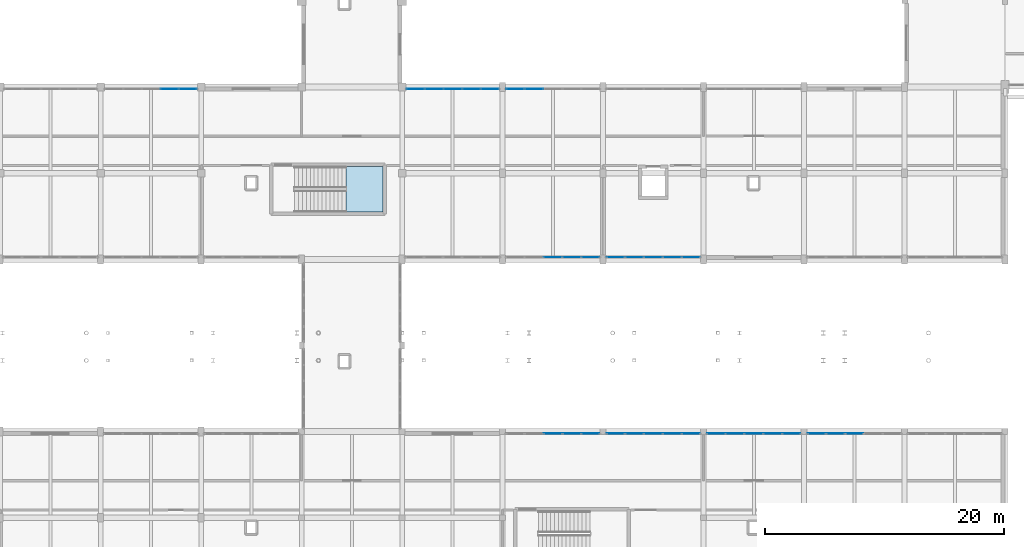
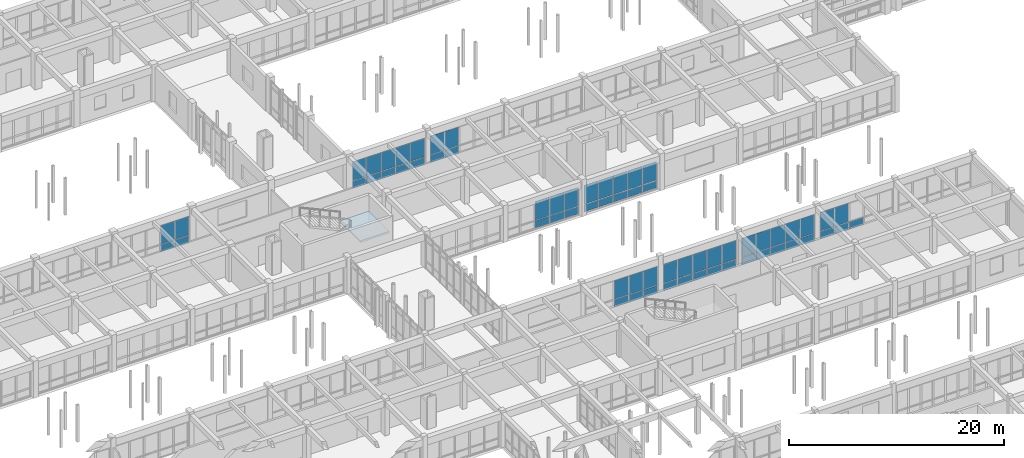
# One storey, part 111 of 147: 65 plates, 1 slab, 10 elements without a shape of their own.
"""IFC4 building model written with IfcOpenShell, lengths in metres."""

from ifc_helpers import new_model, si_unit, direction, frame, origin, origin_2d, place, context, subcontext, project, spatial, polyline, rectangle, outline, extrude, material, layer, layer_set, type_object, element, aggregate, save


model = new_model("IFC4")

# Units and contexts
model_context = context("Model", 3, precision=1e-05, world=origin(), true_north=direction((0.0, 1.0)))
body_context = subcontext(model_context, "Body", "Model", "MODEL_VIEW")
ifc_project = project(units=[si_unit("LENGTHUNIT", "METRE"), si_unit("AREAUNIT", "SQUARE_METRE"), si_unit("VOLUMEUNIT", "CUBIC_METRE"), si_unit("PLANEANGLEUNIT", "RADIAN"), si_unit("MASSUNIT", "GRAM", prefix="KILO")], contexts=[model_context])

# Site, building, storey
site_placement = place(None, origin())
site = spatial("IfcSite", under=ifc_project, at=site_placement, CompositionType="ELEMENT")
building_placement = place(site_placement, origin())
building = spatial("IfcBuilding", under=site, at=building_placement, Name="Malvenik Polytechnic", CompositionType="ELEMENT")
storey_placement = place(building_placement, frame((0.0, 0.0, 5.10009765625)))
storey = spatial("IfcBuildingStorey", under=building, at=storey_placement, Name="L01", CompositionType="ELEMENT", Elevation=5.10009765625)

# Curtain wall, plates
ifc_material_1 = material(Name="Anodised aluminium 6060-T6", Category="aluminium")
curtain_wall_type = type_object("IfcCurtainWallType", Name="ARC-CW-CW-02", PredefinedType="NOTDEFINED", material=ifc_material_1)
curtain_wall_1_placement = place(storey_placement, origin())
curtain_wall_1 = element("IfcCurtainWall", 1, at=curtain_wall_1_placement, inside=storey, type_object=curtain_wall_type, Name="Unitised Curtain Wall CW-02 L01 #37", PredefinedType="NOTDEFINED")
ifc_material_2 = material(Name="Insulated low-E double glazing 8-16-8", Category="glass")
ifc_layer_1 = layer(ifc_material_2, 0.028076171875)
ifc_layer_set_1 = layer_set([ifc_layer_1], Name="Insulated low-E double glazing 8-16-8")
plate_type_1 = type_object("IfcPlateType", Name="ARC-CWP-CP-GLZ28", PredefinedType="CURTAIN_PANEL", material=ifc_layer_set_1)
plate_1_placement = place(storey_placement, frame((64.55078125, 93.429931640625, 0.929931640625), z_axis=(0.0, 0.0, 1.0), x_axis=(1.0, 0.0, 0.0)))
plate_1 = element("IfcPlate", 2, at=plate_1_placement, type_object=plate_type_1, Name="CW-02 panel 4.2", PredefinedType="CURTAIN_PANEL", context=body_context, shape_type="SweptSolid", body=[
    extrude(rectangle(XDim=1.49072265625, YDim=0.028076171875, at=origin_2d()), origin(), (0.0, 0.0, 1.0), 2.1201171875),
])
plate_2_placement = place(storey_placement, frame((66.086669921875, 93.429931640625, 0.929931640625), z_axis=(0.0, 0.0, 1.0), x_axis=(1.0, 0.0, 0.0)))
plate_2 = element("IfcPlate", 3, at=plate_2_placement, type_object=plate_type_1, Name="CW-02 panel 5.2", PredefinedType="CURTAIN_PANEL", context=body_context, shape_type="SweptSolid", body=[
    extrude(rectangle(XDim=1.460693359375, YDim=0.028076171875, at=origin_2d()), origin(), (0.0, 0.0, 1.0), 2.1201171875),
])

curtain_wall_2_placement = place(storey_placement, origin())
curtain_wall_2 = element("IfcCurtainWall", 4, at=curtain_wall_2_placement, inside=storey, type_object=curtain_wall_type, Name="Unitised Curtain Wall CW-02 L01 #59", PredefinedType="NOTDEFINED")
plate_3_placement = place(storey_placement, frame((85.120849609375, 93.429931640625, 0.929931640625), z_axis=(0.0, 0.0, 1.0), x_axis=(1.0, 0.0, 0.0)))
plate_3 = element("IfcPlate", 5, at=plate_3_placement, type_object=plate_type_1, Name="CW-02 panel 1.2", PredefinedType="CURTAIN_PANEL", context=body_context, shape_type="SweptSolid", body=[
    extrude(rectangle(XDim=1.475830078125, YDim=0.028076171875, at=origin_2d()), origin(), (0.0, 0.0, 1.0), 2.1201171875),
])
plate_4_placement = place(storey_placement, frame((86.671630859375, 93.429931640625, 0.929931640625), z_axis=(0.0, 0.0, 1.0), x_axis=(1.0, 0.0, 0.0)))
plate_4 = element("IfcPlate", 6, at=plate_4_placement, type_object=plate_type_1, Name="CW-02 panel 2.2", PredefinedType="CURTAIN_PANEL", context=body_context, shape_type="SweptSolid", body=[
    extrude(rectangle(XDim=1.505859375, YDim=0.028076171875, at=origin_2d()), origin(), (0.0, 0.0, 1.0), 2.1201171875),
])
plate_5_placement = place(storey_placement, frame((88.237548828125, 93.429931640625, 0.929931640625), z_axis=(0.0, 0.0, 1.0), x_axis=(1.0, 0.0, 0.0)))
plate_5 = element("IfcPlate", 7, at=plate_5_placement, type_object=plate_type_1, Name="CW-02 panel 3.2", PredefinedType="CURTAIN_PANEL", context=body_context, shape_type="SweptSolid", body=[
    extrude(rectangle(XDim=1.505859375, YDim=0.028076171875, at=origin_2d()), origin(), (0.0, 0.0, 1.0), 2.1201171875),
])
plate_6_placement = place(storey_placement, frame((89.80322265625, 93.429931640625, 0.929931640625), z_axis=(0.0, 0.0, 1.0), x_axis=(1.0, 0.0, 0.0)))
plate_6 = element("IfcPlate", 8, at=plate_6_placement, type_object=plate_type_1, Name="CW-02 panel 4.2", PredefinedType="CURTAIN_PANEL", context=body_context, shape_type="SweptSolid", body=[
    extrude(rectangle(XDim=1.505859375, YDim=0.028076171875, at=origin_2d()), origin(), (0.0, 0.0, 1.0), 2.1201171875),
])
plate_7_placement = place(storey_placement, frame((91.35400390625, 93.429931640625, 0.929931640625), z_axis=(0.0, 0.0, 1.0), x_axis=(1.0, 0.0, 0.0)))
plate_7 = element("IfcPlate", 9, at=plate_7_placement, type_object=plate_type_1, Name="CW-02 panel 5.2", PredefinedType="CURTAIN_PANEL", context=body_context, shape_type="SweptSolid", body=[
    extrude(rectangle(XDim=1.475830078125, YDim=0.028076171875, at=origin_2d()), origin(), (0.0, 0.0, 1.0), 2.1201171875),
])

curtain_wall_3_placement = place(storey_placement, origin())
curtain_wall_3 = element("IfcCurtainWall", 10, at=curtain_wall_3_placement, inside=storey, type_object=curtain_wall_type, Name="Unitised Curtain Wall CW-02 L01 #60", PredefinedType="NOTDEFINED")
plate_8_placement = place(storey_placement, frame((93.453369140625, 93.429931640625, 0.929931640625), z_axis=(0.0, 0.0, 1.0), x_axis=(1.0, 0.0, 0.0)))
plate_8 = element("IfcPlate", 11, at=plate_8_placement, type_object=plate_type_1, Name="CW-02 panel 1.2", PredefinedType="CURTAIN_PANEL", context=body_context, shape_type="SweptSolid", body=[
    extrude(rectangle(XDim=1.49072265625, YDim=0.028076171875, at=origin_2d()), origin(), (0.0, 0.0, 1.0), 2.1201171875),
])
plate_9_placement = place(storey_placement, frame((95.019287109375, 93.429931640625, 0.929931640625), z_axis=(0.0, 0.0, 1.0), x_axis=(1.0, 0.0, 0.0)))
plate_9 = element("IfcPlate", 12, at=plate_9_placement, type_object=plate_type_1, Name="CW-02 panel 2.2", PredefinedType="CURTAIN_PANEL", context=body_context, shape_type="SweptSolid", body=[
    extrude(rectangle(XDim=1.520751953125, YDim=0.028076171875, at=origin_2d()), origin(), (0.0, 0.0, 1.0), 2.1201171875),
])

curtain_wall_4_placement = place(storey_placement, origin())
curtain_wall_4 = element("IfcCurtainWall", 13, at=curtain_wall_4_placement, inside=storey, type_object=curtain_wall_type, Name="Unitised Curtain Wall CW-02 L01 #79", PredefinedType="NOTDEFINED")
plate_10_placement = place(storey_placement, frame((108.146484375, 79.3701171875, 0.929931640625), z_axis=(0.0, 0.0, 1.0), x_axis=(-1.0, 0.0, 0.0)))
plate_10 = element("IfcPlate", 14, at=plate_10_placement, type_object=plate_type_1, Name="CW-02 panel 1.2", PredefinedType="CURTAIN_PANEL", context=body_context, shape_type="SweptSolid", body=[
    extrude(rectangle(XDim=1.49072265625, YDim=0.028076171875, at=origin_2d()), origin(), (0.0, 0.0, 1.0), 2.1201171875),
])
plate_11_placement = place(storey_placement, frame((106.580810546875, 79.3701171875, 0.929931640625), z_axis=(0.0, 0.0, 1.0), x_axis=(-1.0, 0.0, 0.0)))
plate_11 = element("IfcPlate", 15, at=plate_11_placement, type_object=plate_type_1, Name="CW-02 panel 2.2", PredefinedType="CURTAIN_PANEL", context=body_context, shape_type="SweptSolid", body=[
    extrude(rectangle(XDim=1.520751953125, YDim=0.028076171875, at=origin_2d()), origin(), (0.0, 0.0, 1.0), 2.1201171875),
])
plate_12_placement = place(storey_placement, frame((105.0, 79.3701171875, 0.929931640625), z_axis=(0.0, 0.0, 1.0), x_axis=(-1.0, 0.0, 0.0)))
plate_12 = element("IfcPlate", 16, at=plate_12_placement, type_object=plate_type_1, Name="CW-02 panel 3.2", PredefinedType="CURTAIN_PANEL", context=body_context, shape_type="SweptSolid", body=[
    extrude(rectangle(XDim=1.520751953125, YDim=0.028076171875, at=origin_2d()), origin(), (0.0, 0.0, 1.0), 2.1201171875),
])
plate_13_placement = place(storey_placement, frame((103.419189453125, 79.3701171875, 0.929931640625), z_axis=(0.0, 0.0, 1.0), x_axis=(-1.0, 0.0, 0.0)))
plate_13 = element("IfcPlate", 17, at=plate_13_placement, type_object=plate_type_1, Name="CW-02 panel 4.2", PredefinedType="CURTAIN_PANEL", context=body_context, shape_type="SweptSolid", body=[
    extrude(rectangle(XDim=1.520751953125, YDim=0.028076171875, at=origin_2d()), origin(), (0.0, 0.0, 1.0), 2.1201171875),
])
plate_14_placement = place(storey_placement, frame((101.853515625, 79.3701171875, 0.929931640625), z_axis=(0.0, 0.0, 1.0), x_axis=(-1.0, 0.0, 0.0)))
plate_14 = element("IfcPlate", 18, at=plate_14_placement, type_object=plate_type_1, Name="CW-02 panel 5.2", PredefinedType="CURTAIN_PANEL", context=body_context, shape_type="SweptSolid", body=[
    extrude(rectangle(XDim=1.49072265625, YDim=0.028076171875, at=origin_2d()), origin(), (0.0, 0.0, 1.0), 2.1201171875),
])

curtain_wall_5_placement = place(storey_placement, origin())
curtain_wall_5 = element("IfcCurtainWall", 19, at=curtain_wall_5_placement, inside=storey, type_object=curtain_wall_type, Name="Unitised Curtain Wall CW-02 L01 #80", PredefinedType="NOTDEFINED")
plate_15_placement = place(storey_placement, frame((99.74658203125, 79.3701171875, 0.929931640625), z_axis=(0.0, 0.0, 1.0), x_axis=(-1.0, 0.0, 0.0)))
plate_15 = element("IfcPlate", 20, at=plate_15_placement, type_object=plate_type_1, Name="CW-02 panel 1.2", PredefinedType="CURTAIN_PANEL", context=body_context, shape_type="SweptSolid", body=[
    extrude(rectangle(XDim=1.49072265625, YDim=0.028076171875, at=origin_2d()), origin(), (0.0, 0.0, 1.0), 2.1201171875),
])
plate_16_placement = place(storey_placement, frame((98.180908203125, 79.3701171875, 0.929931640625), z_axis=(0.0, 0.0, 1.0), x_axis=(-1.0, 0.0, 0.0)))
plate_16 = element("IfcPlate", 21, at=plate_16_placement, type_object=plate_type_1, Name="CW-02 panel 2.2", PredefinedType="CURTAIN_PANEL", context=body_context, shape_type="SweptSolid", body=[
    extrude(rectangle(XDim=1.520751953125, YDim=0.028076171875, at=origin_2d()), origin(), (0.0, 0.0, 1.0), 2.1201171875),
])
plate_17_placement = place(storey_placement, frame((96.60009765625, 79.3701171875, 0.929931640625), z_axis=(0.0, 0.0, 1.0), x_axis=(-1.0, 0.0, 0.0)))
plate_17 = element("IfcPlate", 22, at=plate_17_placement, type_object=plate_type_1, Name="CW-02 panel 3.2", PredefinedType="CURTAIN_PANEL", context=body_context, shape_type="SweptSolid", body=[
    extrude(rectangle(XDim=1.520751953125, YDim=0.028076171875, at=origin_2d()), origin(), (0.0, 0.0, 1.0), 2.1201171875),
])

curtain_wall_6_placement = place(storey_placement, origin())
curtain_wall_6 = element("IfcCurtainWall", 23, at=curtain_wall_6_placement, inside=storey, type_object=curtain_wall_type, Name="Unitised Curtain Wall CW-02 L01 #84", PredefinedType="NOTDEFINED")
plate_18_placement = place(storey_placement, frame((96.60009765625, 64.6298828125, 0.929931640625), z_axis=(0.0, 0.0, 1.0), x_axis=(1.0, 0.0, 0.0)))
plate_18 = element("IfcPlate", 24, at=plate_18_placement, type_object=plate_type_1, Name="CW-02 panel 3.2", PredefinedType="CURTAIN_PANEL", context=body_context, shape_type="SweptSolid", body=[
    extrude(rectangle(XDim=1.520751953125, YDim=0.028076171875, at=origin_2d()), origin(), (0.0, 0.0, 1.0), 2.1201171875),
])
plate_19_placement = place(storey_placement, frame((98.180908203125, 64.6298828125, 0.929931640625), z_axis=(0.0, 0.0, 1.0), x_axis=(1.0, 0.0, 0.0)))
plate_19 = element("IfcPlate", 25, at=plate_19_placement, type_object=plate_type_1, Name="CW-02 panel 4.2", PredefinedType="CURTAIN_PANEL", context=body_context, shape_type="SweptSolid", body=[
    extrude(rectangle(XDim=1.520751953125, YDim=0.028076171875, at=origin_2d()), origin(), (0.0, 0.0, 1.0), 2.1201171875),
])
plate_20_placement = place(storey_placement, frame((99.74658203125, 64.6298828125, 0.929931640625), z_axis=(0.0, 0.0, 1.0), x_axis=(1.0, 0.0, 0.0)))
plate_20 = element("IfcPlate", 26, at=plate_20_placement, type_object=plate_type_1, Name="CW-02 panel 5.2", PredefinedType="CURTAIN_PANEL", context=body_context, shape_type="SweptSolid", body=[
    extrude(rectangle(XDim=1.49072265625, YDim=0.028076171875, at=origin_2d()), origin(), (0.0, 0.0, 1.0), 2.1201171875),
])

curtain_wall_7_placement = place(storey_placement, origin())
curtain_wall_7 = element("IfcCurtainWall", 27, at=curtain_wall_7_placement, inside=storey, type_object=curtain_wall_type, Name="Unitised Curtain Wall CW-02 L01 #85", PredefinedType="NOTDEFINED")
plate_21_placement = place(storey_placement, frame((101.853515625, 64.6298828125, 0.929931640625), z_axis=(0.0, 0.0, 1.0), x_axis=(1.0, 0.0, 0.0)))
plate_21 = element("IfcPlate", 28, at=plate_21_placement, type_object=plate_type_1, Name="CW-02 panel 1.2", PredefinedType="CURTAIN_PANEL", context=body_context, shape_type="SweptSolid", body=[
    extrude(rectangle(XDim=1.49072265625, YDim=0.028076171875, at=origin_2d()), origin(), (0.0, 0.0, 1.0), 2.1201171875),
])
plate_22_placement = place(storey_placement, frame((103.419189453125, 64.6298828125, 0.929931640625), z_axis=(0.0, 0.0, 1.0), x_axis=(1.0, 0.0, 0.0)))
plate_22 = element("IfcPlate", 29, at=plate_22_placement, type_object=plate_type_1, Name="CW-02 panel 2.2", PredefinedType="CURTAIN_PANEL", context=body_context, shape_type="SweptSolid", body=[
    extrude(rectangle(XDim=1.520751953125, YDim=0.028076171875, at=origin_2d()), origin(), (0.0, 0.0, 1.0), 2.1201171875),
])
plate_23_placement = place(storey_placement, frame((105.0, 64.6298828125, 0.929931640625), z_axis=(0.0, 0.0, 1.0), x_axis=(1.0, 0.0, 0.0)))
plate_23 = element("IfcPlate", 30, at=plate_23_placement, type_object=plate_type_1, Name="CW-02 panel 3.2", PredefinedType="CURTAIN_PANEL", context=body_context, shape_type="SweptSolid", body=[
    extrude(rectangle(XDim=1.520751953125, YDim=0.028076171875, at=origin_2d()), origin(), (0.0, 0.0, 1.0), 2.1201171875),
])
plate_24_placement = place(storey_placement, frame((106.580810546875, 64.6298828125, 0.929931640625), z_axis=(0.0, 0.0, 1.0), x_axis=(1.0, 0.0, 0.0)))
plate_24 = element("IfcPlate", 31, at=plate_24_placement, type_object=plate_type_1, Name="CW-02 panel 4.2", PredefinedType="CURTAIN_PANEL", context=body_context, shape_type="SweptSolid", body=[
    extrude(rectangle(XDim=1.520751953125, YDim=0.028076171875, at=origin_2d()), origin(), (0.0, 0.0, 1.0), 2.1201171875),
])
plate_25_placement = place(storey_placement, frame((108.146484375, 64.6298828125, 0.929931640625), z_axis=(0.0, 0.0, 1.0), x_axis=(1.0, 0.0, 0.0)))
plate_25 = element("IfcPlate", 32, at=plate_25_placement, type_object=plate_type_1, Name="CW-02 panel 5.2", PredefinedType="CURTAIN_PANEL", context=body_context, shape_type="SweptSolid", body=[
    extrude(rectangle(XDim=1.49072265625, YDim=0.028076171875, at=origin_2d()), origin(), (0.0, 0.0, 1.0), 2.1201171875),
])

curtain_wall_8_placement = place(storey_placement, origin())
curtain_wall_8 = element("IfcCurtainWall", 33, at=curtain_wall_8_placement, inside=storey, type_object=curtain_wall_type, Name="Unitised Curtain Wall CW-02 L01 #86", PredefinedType="NOTDEFINED")
plate_26_placement = place(storey_placement, frame((110.25341796875, 64.6298828125, 0.929931640625), z_axis=(0.0, 0.0, 1.0), x_axis=(1.0, 0.0, 0.0)))
plate_26 = element("IfcPlate", 34, at=plate_26_placement, type_object=plate_type_1, Name="CW-02 panel 1.2", PredefinedType="CURTAIN_PANEL", context=body_context, shape_type="SweptSolid", body=[
    extrude(rectangle(XDim=1.49072265625, YDim=0.028076171875, at=origin_2d()), origin(), (0.0, 0.0, 1.0), 2.1201171875),
])
plate_27_placement = place(storey_placement, frame((111.819091796875, 64.6298828125, 0.929931640625), z_axis=(0.0, 0.0, 1.0), x_axis=(1.0, 0.0, 0.0)))
plate_27 = element("IfcPlate", 35, at=plate_27_placement, type_object=plate_type_1, Name="CW-02 panel 2.2", PredefinedType="CURTAIN_PANEL", context=body_context, shape_type="SweptSolid", body=[
    extrude(rectangle(XDim=1.520751953125, YDim=0.028076171875, at=origin_2d()), origin(), (0.0, 0.0, 1.0), 2.1201171875),
])
plate_28_placement = place(storey_placement, frame((113.39990234375, 64.6298828125, 0.929931640625), z_axis=(0.0, 0.0, 1.0), x_axis=(1.0, 0.0, 0.0)))
plate_28 = element("IfcPlate", 36, at=plate_28_placement, type_object=plate_type_1, Name="CW-02 panel 3.2", PredefinedType="CURTAIN_PANEL", context=body_context, shape_type="SweptSolid", body=[
    extrude(rectangle(XDim=1.520751953125, YDim=0.028076171875, at=origin_2d()), origin(), (0.0, 0.0, 1.0), 2.1201171875),
])
plate_29_placement = place(storey_placement, frame((114.980712890625, 64.6298828125, 0.929931640625), z_axis=(0.0, 0.0, 1.0), x_axis=(1.0, 0.0, 0.0)))
plate_29 = element("IfcPlate", 37, at=plate_29_placement, type_object=plate_type_1, Name="CW-02 panel 4.2", PredefinedType="CURTAIN_PANEL", context=body_context, shape_type="SweptSolid", body=[
    extrude(rectangle(XDim=1.520751953125, YDim=0.028076171875, at=origin_2d()), origin(), (0.0, 0.0, 1.0), 2.1201171875),
])
plate_30_placement = place(storey_placement, frame((116.546630859375, 64.6298828125, 0.929931640625), z_axis=(0.0, 0.0, 1.0), x_axis=(1.0, 0.0, 0.0)))
plate_30 = element("IfcPlate", 38, at=plate_30_placement, type_object=plate_type_1, Name="CW-02 panel 5.2", PredefinedType="CURTAIN_PANEL", context=body_context, shape_type="SweptSolid", body=[
    extrude(rectangle(XDim=1.49072265625, YDim=0.028076171875, at=origin_2d()), origin(), (0.0, 0.0, 1.0), 2.1201171875),
])

curtain_wall_9_placement = place(storey_placement, origin())
curtain_wall_9 = element("IfcCurtainWall", 39, at=curtain_wall_9_placement, inside=storey, type_object=curtain_wall_type, Name="Unitised Curtain Wall CW-02 L01 #87", PredefinedType="NOTDEFINED")
plate_31_placement = place(storey_placement, frame((118.6533203125, 64.6298828125, 0.929931640625), z_axis=(0.0, 0.0, 1.0), x_axis=(1.0, 0.0, 0.0)))
plate_31 = element("IfcPlate", 40, at=plate_31_placement, type_object=plate_type_1, Name="CW-02 panel 1.2", PredefinedType="CURTAIN_PANEL", context=body_context, shape_type="SweptSolid", body=[
    extrude(rectangle(XDim=1.49072265625, YDim=0.028076171875, at=origin_2d()), origin(), (0.0, 0.0, 1.0), 2.1201171875),
])
plate_32_placement = place(storey_placement, frame((120.21923828125, 64.6298828125, 0.929931640625), z_axis=(0.0, 0.0, 1.0), x_axis=(1.0, 0.0, 0.0)))
plate_32 = element("IfcPlate", 41, at=plate_32_placement, type_object=plate_type_1, Name="CW-02 panel 2.2", PredefinedType="CURTAIN_PANEL", context=body_context, shape_type="SweptSolid", body=[
    extrude(rectangle(XDim=1.520751953125, YDim=0.028076171875, at=origin_2d()), origin(), (0.0, 0.0, 1.0), 2.1201171875),
])

# Plate
ifc_material_3 = material(Name="Insulated aluminium spandrel cassette 42mm", Category="aluminium")
ifc_layer_2 = layer(ifc_material_3, 0.0419921875)
ifc_layer_set_2 = layer_set([ifc_layer_2], Name="Insulated aluminium spandrel cassette 42mm")
plate_type_2 = type_object("IfcPlateType", Name="ARC-CWP-CP-SPN42", PredefinedType="CURTAIN_PANEL", material=ifc_layer_set_2)
plate_33_placement = place(storey_placement, frame((64.55078125, 93.429931640625, 0.059814453125), z_axis=(0.0, 0.0, 1.0), x_axis=(1.0, 0.0, 0.0)))
plate_33 = element("IfcPlate", 42, at=plate_33_placement, type_object=plate_type_2, Name="CW-02 panel 4.1", PredefinedType="CURTAIN_PANEL", context=body_context, shape_type="SweptSolid", body=[
    extrude(rectangle(XDim=1.49072265625, YDim=0.028076171875, at=origin_2d()), origin(), (0.0, 0.0, 1.0), 0.81005859375),
])

plate_34_placement = place(storey_placement, frame((66.086669921875, 93.429931640625, 0.059814453125), z_axis=(0.0, 0.0, 1.0), x_axis=(1.0, 0.0, 0.0)))
plate_34 = element("IfcPlate", 43, at=plate_34_placement, type_object=plate_type_2, Name="CW-02 panel 5.1", PredefinedType="CURTAIN_PANEL", context=body_context, shape_type="SweptSolid", body=[
    extrude(rectangle(XDim=1.460693359375, YDim=0.028076171875, at=origin_2d()), origin(), (0.0, 0.0, 1.0), 0.81005859375),
])

aggregate(curtain_wall_1, [plate_33, plate_1, plate_34, plate_2])

plate_35_placement = place(storey_placement, frame((85.120849609375, 93.429931640625, 0.059814453125), z_axis=(0.0, 0.0, 1.0), x_axis=(1.0, 0.0, 0.0)))
plate_35 = element("IfcPlate", 44, at=plate_35_placement, type_object=plate_type_2, Name="CW-02 panel 1.1", PredefinedType="CURTAIN_PANEL", context=body_context, shape_type="SweptSolid", body=[
    extrude(rectangle(XDim=1.475830078125, YDim=0.028076171875, at=origin_2d()), origin(), (0.0, 0.0, 1.0), 0.81005859375),
])

plate_36_placement = place(storey_placement, frame((86.671630859375, 93.429931640625, 0.059814453125), z_axis=(0.0, 0.0, 1.0), x_axis=(1.0, 0.0, 0.0)))
plate_36 = element("IfcPlate", 45, at=plate_36_placement, type_object=plate_type_2, Name="CW-02 panel 2.1", PredefinedType="CURTAIN_PANEL", context=body_context, shape_type="SweptSolid", body=[
    extrude(rectangle(XDim=1.505859375, YDim=0.028076171875, at=origin_2d()), origin(), (0.0, 0.0, 1.0), 0.81005859375),
])

plate_37_placement = place(storey_placement, frame((88.237548828125, 93.429931640625, 0.059814453125), z_axis=(0.0, 0.0, 1.0), x_axis=(1.0, 0.0, 0.0)))
plate_37 = element("IfcPlate", 46, at=plate_37_placement, type_object=plate_type_2, Name="CW-02 panel 3.1", PredefinedType="CURTAIN_PANEL", context=body_context, shape_type="SweptSolid", body=[
    extrude(rectangle(XDim=1.505859375, YDim=0.028076171875, at=origin_2d()), origin(), (0.0, 0.0, 1.0), 0.81005859375),
])

plate_38_placement = place(storey_placement, frame((89.80322265625, 93.429931640625, 0.059814453125), z_axis=(0.0, 0.0, 1.0), x_axis=(1.0, 0.0, 0.0)))
plate_38 = element("IfcPlate", 47, at=plate_38_placement, type_object=plate_type_2, Name="CW-02 panel 4.1", PredefinedType="CURTAIN_PANEL", context=body_context, shape_type="SweptSolid", body=[
    extrude(rectangle(XDim=1.505859375, YDim=0.028076171875, at=origin_2d()), origin(), (0.0, 0.0, 1.0), 0.81005859375),
])

plate_39_placement = place(storey_placement, frame((91.35400390625, 93.429931640625, 0.059814453125), z_axis=(0.0, 0.0, 1.0), x_axis=(1.0, 0.0, 0.0)))
plate_39 = element("IfcPlate", 48, at=plate_39_placement, type_object=plate_type_2, Name="CW-02 panel 5.1", PredefinedType="CURTAIN_PANEL", context=body_context, shape_type="SweptSolid", body=[
    extrude(rectangle(XDim=1.475830078125, YDim=0.028076171875, at=origin_2d()), origin(), (0.0, 0.0, 1.0), 0.81005859375),
])

aggregate(curtain_wall_2, [plate_35, plate_3, plate_36, plate_4, plate_37, plate_5, plate_38, plate_6, plate_39, plate_7])

plate_40_placement = place(storey_placement, frame((93.453369140625, 93.429931640625, 0.059814453125), z_axis=(0.0, 0.0, 1.0), x_axis=(1.0, 0.0, 0.0)))
plate_40 = element("IfcPlate", 49, at=plate_40_placement, type_object=plate_type_2, Name="CW-02 panel 1.1", PredefinedType="CURTAIN_PANEL", context=body_context, shape_type="SweptSolid", body=[
    extrude(rectangle(XDim=1.49072265625, YDim=0.028076171875, at=origin_2d()), origin(), (0.0, 0.0, 1.0), 0.81005859375),
])

plate_41_placement = place(storey_placement, frame((95.019287109375, 93.429931640625, 0.059814453125), z_axis=(0.0, 0.0, 1.0), x_axis=(1.0, 0.0, 0.0)))
plate_41 = element("IfcPlate", 50, at=plate_41_placement, type_object=plate_type_2, Name="CW-02 panel 2.1", PredefinedType="CURTAIN_PANEL", context=body_context, shape_type="SweptSolid", body=[
    extrude(rectangle(XDim=1.520751953125, YDim=0.028076171875, at=origin_2d()), origin(), (0.0, 0.0, 1.0), 0.81005859375),
])

aggregate(curtain_wall_3, [plate_40, plate_8, plate_41, plate_9])

plate_42_placement = place(storey_placement, frame((108.146484375, 79.3701171875, 0.059814453125), z_axis=(0.0, 0.0, 1.0), x_axis=(-1.0, 0.0, 0.0)))
plate_42 = element("IfcPlate", 51, at=plate_42_placement, type_object=plate_type_2, Name="CW-02 panel 1.1", PredefinedType="CURTAIN_PANEL", context=body_context, shape_type="SweptSolid", body=[
    extrude(rectangle(XDim=1.49072265625, YDim=0.028076171875, at=origin_2d()), origin(), (0.0, 0.0, 1.0), 0.81005859375),
])

plate_43_placement = place(storey_placement, frame((106.580810546875, 79.3701171875, 0.059814453125), z_axis=(0.0, 0.0, 1.0), x_axis=(-1.0, 0.0, 0.0)))
plate_43 = element("IfcPlate", 52, at=plate_43_placement, type_object=plate_type_2, Name="CW-02 panel 2.1", PredefinedType="CURTAIN_PANEL", context=body_context, shape_type="SweptSolid", body=[
    extrude(rectangle(XDim=1.520751953125, YDim=0.028076171875, at=origin_2d()), origin(), (0.0, 0.0, 1.0), 0.81005859375),
])

plate_44_placement = place(storey_placement, frame((105.0, 79.3701171875, 0.059814453125), z_axis=(0.0, 0.0, 1.0), x_axis=(-1.0, 0.0, 0.0)))
plate_44 = element("IfcPlate", 53, at=plate_44_placement, type_object=plate_type_2, Name="CW-02 panel 3.1", PredefinedType="CURTAIN_PANEL", context=body_context, shape_type="SweptSolid", body=[
    extrude(rectangle(XDim=1.520751953125, YDim=0.028076171875, at=origin_2d()), origin(), (0.0, 0.0, 1.0), 0.81005859375),
])

plate_45_placement = place(storey_placement, frame((103.419189453125, 79.3701171875, 0.059814453125), z_axis=(0.0, 0.0, 1.0), x_axis=(-1.0, 0.0, 0.0)))
plate_45 = element("IfcPlate", 54, at=plate_45_placement, type_object=plate_type_2, Name="CW-02 panel 4.1", PredefinedType="CURTAIN_PANEL", context=body_context, shape_type="SweptSolid", body=[
    extrude(rectangle(XDim=1.520751953125, YDim=0.028076171875, at=origin_2d()), origin(), (0.0, 0.0, 1.0), 0.81005859375),
])

plate_46_placement = place(storey_placement, frame((101.853515625, 79.3701171875, 0.059814453125), z_axis=(0.0, 0.0, 1.0), x_axis=(-1.0, 0.0, 0.0)))
plate_46 = element("IfcPlate", 55, at=plate_46_placement, type_object=plate_type_2, Name="CW-02 panel 5.1", PredefinedType="CURTAIN_PANEL", context=body_context, shape_type="SweptSolid", body=[
    extrude(rectangle(XDim=1.49072265625, YDim=0.028076171875, at=origin_2d()), origin(), (0.0, 0.0, 1.0), 0.81005859375),
])

aggregate(curtain_wall_4, [plate_42, plate_10, plate_43, plate_11, plate_44, plate_12, plate_45, plate_13, plate_46, plate_14])

plate_47_placement = place(storey_placement, frame((99.74658203125, 79.3701171875, 0.059814453125), z_axis=(0.0, 0.0, 1.0), x_axis=(-1.0, 0.0, 0.0)))
plate_47 = element("IfcPlate", 56, at=plate_47_placement, type_object=plate_type_2, Name="CW-02 panel 1.1", PredefinedType="CURTAIN_PANEL", context=body_context, shape_type="SweptSolid", body=[
    extrude(rectangle(XDim=1.49072265625, YDim=0.028076171875, at=origin_2d()), origin(), (0.0, 0.0, 1.0), 0.81005859375),
])

plate_48_placement = place(storey_placement, frame((98.180908203125, 79.3701171875, 0.059814453125), z_axis=(0.0, 0.0, 1.0), x_axis=(-1.0, 0.0, 0.0)))
plate_48 = element("IfcPlate", 57, at=plate_48_placement, type_object=plate_type_2, Name="CW-02 panel 2.1", PredefinedType="CURTAIN_PANEL", context=body_context, shape_type="SweptSolid", body=[
    extrude(rectangle(XDim=1.520751953125, YDim=0.028076171875, at=origin_2d()), origin(), (0.0, 0.0, 1.0), 0.81005859375),
])

plate_49_placement = place(storey_placement, frame((96.60009765625, 79.3701171875, 0.059814453125), z_axis=(0.0, 0.0, 1.0), x_axis=(-1.0, 0.0, 0.0)))
plate_49 = element("IfcPlate", 58, at=plate_49_placement, type_object=plate_type_2, Name="CW-02 panel 3.1", PredefinedType="CURTAIN_PANEL", context=body_context, shape_type="SweptSolid", body=[
    extrude(rectangle(XDim=1.520751953125, YDim=0.028076171875, at=origin_2d()), origin(), (0.0, 0.0, 1.0), 0.81005859375),
])

aggregate(curtain_wall_5, [plate_47, plate_15, plate_48, plate_16, plate_49, plate_17])

plate_50_placement = place(storey_placement, frame((96.60009765625, 64.6298828125, 0.059814453125), z_axis=(0.0, 0.0, 1.0), x_axis=(1.0, 0.0, 0.0)))
plate_50 = element("IfcPlate", 59, at=plate_50_placement, type_object=plate_type_2, Name="CW-02 panel 3.1", PredefinedType="CURTAIN_PANEL", context=body_context, shape_type="SweptSolid", body=[
    extrude(rectangle(XDim=1.520751953125, YDim=0.028076171875, at=origin_2d()), origin(), (0.0, 0.0, 1.0), 0.81005859375),
])

plate_51_placement = place(storey_placement, frame((98.180908203125, 64.6298828125, 0.059814453125), z_axis=(0.0, 0.0, 1.0), x_axis=(1.0, 0.0, 0.0)))
plate_51 = element("IfcPlate", 60, at=plate_51_placement, type_object=plate_type_2, Name="CW-02 panel 4.1", PredefinedType="CURTAIN_PANEL", context=body_context, shape_type="SweptSolid", body=[
    extrude(rectangle(XDim=1.520751953125, YDim=0.028076171875, at=origin_2d()), origin(), (0.0, 0.0, 1.0), 0.81005859375),
])

plate_52_placement = place(storey_placement, frame((99.74658203125, 64.6298828125, 0.059814453125), z_axis=(0.0, 0.0, 1.0), x_axis=(1.0, 0.0, 0.0)))
plate_52 = element("IfcPlate", 61, at=plate_52_placement, type_object=plate_type_2, Name="CW-02 panel 5.1", PredefinedType="CURTAIN_PANEL", context=body_context, shape_type="SweptSolid", body=[
    extrude(rectangle(XDim=1.49072265625, YDim=0.028076171875, at=origin_2d()), origin(), (0.0, 0.0, 1.0), 0.81005859375),
])

aggregate(curtain_wall_6, [plate_50, plate_18, plate_51, plate_19, plate_52, plate_20])

plate_53_placement = place(storey_placement, frame((101.853515625, 64.6298828125, 0.059814453125), z_axis=(0.0, 0.0, 1.0), x_axis=(1.0, 0.0, 0.0)))
plate_53 = element("IfcPlate", 62, at=plate_53_placement, type_object=plate_type_2, Name="CW-02 panel 1.1", PredefinedType="CURTAIN_PANEL", context=body_context, shape_type="SweptSolid", body=[
    extrude(rectangle(XDim=1.49072265625, YDim=0.028076171875, at=origin_2d()), origin(), (0.0, 0.0, 1.0), 0.81005859375),
])

plate_54_placement = place(storey_placement, frame((103.419189453125, 64.6298828125, 0.059814453125), z_axis=(0.0, 0.0, 1.0), x_axis=(1.0, 0.0, 0.0)))
plate_54 = element("IfcPlate", 63, at=plate_54_placement, type_object=plate_type_2, Name="CW-02 panel 2.1", PredefinedType="CURTAIN_PANEL", context=body_context, shape_type="SweptSolid", body=[
    extrude(rectangle(XDim=1.520751953125, YDim=0.028076171875, at=origin_2d()), origin(), (0.0, 0.0, 1.0), 0.81005859375),
])

plate_55_placement = place(storey_placement, frame((105.0, 64.6298828125, 0.059814453125), z_axis=(0.0, 0.0, 1.0), x_axis=(1.0, 0.0, 0.0)))
plate_55 = element("IfcPlate", 64, at=plate_55_placement, type_object=plate_type_2, Name="CW-02 panel 3.1", PredefinedType="CURTAIN_PANEL", context=body_context, shape_type="SweptSolid", body=[
    extrude(rectangle(XDim=1.520751953125, YDim=0.028076171875, at=origin_2d()), origin(), (0.0, 0.0, 1.0), 0.81005859375),
])

plate_56_placement = place(storey_placement, frame((106.580810546875, 64.6298828125, 0.059814453125), z_axis=(0.0, 0.0, 1.0), x_axis=(1.0, 0.0, 0.0)))
plate_56 = element("IfcPlate", 65, at=plate_56_placement, type_object=plate_type_2, Name="CW-02 panel 4.1", PredefinedType="CURTAIN_PANEL", context=body_context, shape_type="SweptSolid", body=[
    extrude(rectangle(XDim=1.520751953125, YDim=0.028076171875, at=origin_2d()), origin(), (0.0, 0.0, 1.0), 0.81005859375),
])

plate_57_placement = place(storey_placement, frame((108.146484375, 64.6298828125, 0.059814453125), z_axis=(0.0, 0.0, 1.0), x_axis=(1.0, 0.0, 0.0)))
plate_57 = element("IfcPlate", 66, at=plate_57_placement, type_object=plate_type_2, Name="CW-02 panel 5.1", PredefinedType="CURTAIN_PANEL", context=body_context, shape_type="SweptSolid", body=[
    extrude(rectangle(XDim=1.49072265625, YDim=0.028076171875, at=origin_2d()), origin(), (0.0, 0.0, 1.0), 0.81005859375),
])

aggregate(curtain_wall_7, [plate_53, plate_21, plate_54, plate_22, plate_55, plate_23, plate_56, plate_24, plate_57, plate_25])

plate_58_placement = place(storey_placement, frame((110.25341796875, 64.6298828125, 0.059814453125), z_axis=(0.0, 0.0, 1.0), x_axis=(1.0, 0.0, 0.0)))
plate_58 = element("IfcPlate", 67, at=plate_58_placement, type_object=plate_type_2, Name="CW-02 panel 1.1", PredefinedType="CURTAIN_PANEL", context=body_context, shape_type="SweptSolid", body=[
    extrude(rectangle(XDim=1.49072265625, YDim=0.028076171875, at=origin_2d()), origin(), (0.0, 0.0, 1.0), 0.81005859375),
])

plate_59_placement = place(storey_placement, frame((111.819091796875, 64.6298828125, 0.059814453125), z_axis=(0.0, 0.0, 1.0), x_axis=(1.0, 0.0, 0.0)))
plate_59 = element("IfcPlate", 68, at=plate_59_placement, type_object=plate_type_2, Name="CW-02 panel 2.1", PredefinedType="CURTAIN_PANEL", context=body_context, shape_type="SweptSolid", body=[
    extrude(rectangle(XDim=1.520751953125, YDim=0.028076171875, at=origin_2d()), origin(), (0.0, 0.0, 1.0), 0.81005859375),
])

plate_60_placement = place(storey_placement, frame((113.39990234375, 64.6298828125, 0.059814453125), z_axis=(0.0, 0.0, 1.0), x_axis=(1.0, 0.0, 0.0)))
plate_60 = element("IfcPlate", 69, at=plate_60_placement, type_object=plate_type_2, Name="CW-02 panel 3.1", PredefinedType="CURTAIN_PANEL", context=body_context, shape_type="SweptSolid", body=[
    extrude(rectangle(XDim=1.520751953125, YDim=0.028076171875, at=origin_2d()), origin(), (0.0, 0.0, 1.0), 0.81005859375),
])

plate_61_placement = place(storey_placement, frame((114.980712890625, 64.6298828125, 0.059814453125), z_axis=(0.0, 0.0, 1.0), x_axis=(1.0, 0.0, 0.0)))
plate_61 = element("IfcPlate", 70, at=plate_61_placement, type_object=plate_type_2, Name="CW-02 panel 4.1", PredefinedType="CURTAIN_PANEL", context=body_context, shape_type="SweptSolid", body=[
    extrude(rectangle(XDim=1.520751953125, YDim=0.028076171875, at=origin_2d()), origin(), (0.0, 0.0, 1.0), 0.81005859375),
])

plate_62_placement = place(storey_placement, frame((116.546630859375, 64.6298828125, 0.059814453125), z_axis=(0.0, 0.0, 1.0), x_axis=(1.0, 0.0, 0.0)))
plate_62 = element("IfcPlate", 71, at=plate_62_placement, type_object=plate_type_2, Name="CW-02 panel 5.1", PredefinedType="CURTAIN_PANEL", context=body_context, shape_type="SweptSolid", body=[
    extrude(rectangle(XDim=1.49072265625, YDim=0.028076171875, at=origin_2d()), origin(), (0.0, 0.0, 1.0), 0.81005859375),
])

aggregate(curtain_wall_8, [plate_58, plate_26, plate_59, plate_27, plate_60, plate_28, plate_61, plate_29, plate_62, plate_30])

plate_63_placement = place(storey_placement, frame((118.6533203125, 64.6298828125, 0.059814453125), z_axis=(0.0, 0.0, 1.0), x_axis=(1.0, 0.0, 0.0)))
plate_63 = element("IfcPlate", 72, at=plate_63_placement, type_object=plate_type_2, Name="CW-02 panel 1.1", PredefinedType="CURTAIN_PANEL", context=body_context, shape_type="SweptSolid", body=[
    extrude(rectangle(XDim=1.49072265625, YDim=0.028076171875, at=origin_2d()), origin(), (0.0, 0.0, 1.0), 0.81005859375),
])

plate_64_placement = place(storey_placement, frame((120.21923828125, 64.6298828125, 0.059814453125), z_axis=(0.0, 0.0, 1.0), x_axis=(1.0, 0.0, 0.0)))
plate_64 = element("IfcPlate", 73, at=plate_64_placement, type_object=plate_type_2, Name="CW-02 panel 2.1", PredefinedType="CURTAIN_PANEL", context=body_context, shape_type="SweptSolid", body=[
    extrude(rectangle(XDim=1.520751953125, YDim=0.028076171875, at=origin_2d()), origin(), (0.0, 0.0, 1.0), 0.81005859375),
])

plate_65_placement = place(storey_placement, frame((121.800048828125, 64.6298828125, 0.059814453125), z_axis=(0.0, 0.0, 1.0), x_axis=(1.0, 0.0, 0.0)))
plate_65 = element("IfcPlate", 74, at=plate_65_placement, type_object=plate_type_2, Name="CW-02 panel 3.1", PredefinedType="CURTAIN_PANEL", context=body_context, shape_type="SweptSolid", body=[
    extrude(rectangle(XDim=1.520751953125, YDim=0.028076171875, at=origin_2d()), origin(), (0.0, 0.0, 1.0), 0.81005859375),
])

aggregate(curtain_wall_9, [plate_63, plate_31, plate_64, plate_32, plate_65])

# Stair, slab
ifc_material_4 = material(Name="Concrete C35/45", Category="concrete")
stair_type = type_object("IfcStairType", Name="ARC-STR-ST-05", PredefinedType="HALF_TURN_STAIR", material=ifc_material_4)
stair_placement = place(storey_placement, origin())
stair = element("IfcStair", 75, at=stair_placement, inside=storey, type_object=stair_type, Name="L01 Escape Stair ST-05", PredefinedType="HALF_TURN_STAIR")
ifc_layer_3 = layer(ifc_material_4, 0.199951171875)
ifc_layer_set_3 = layer_set([ifc_layer_3], Name="Concrete C35/45")
slab_type = type_object("IfcSlabType", Name="ARC-SLB-STLND", PredefinedType="LANDING", material=ifc_layer_set_3)
slab_placement = place(storey_placement, frame((0.0, 0.0, 1.89990234375)))
slab = element("IfcSlab", 76, at=slab_placement, type_object=slab_type, Name="ST-05 landing 1", PredefinedType="LANDING", context=body_context, shape_type="SweptSolid", body=[
    extrude(outline(polyline([(79.2900390625, 83.14990234375), (82.39990234375, 83.14990234375), (82.39990234375, 86.949951171875), (79.2900390625, 86.949951171875), (79.2900390625, 83.14990234375)])), origin(), (0.0, 0.0, 1.0), 0.199951171875),
])
aggregate(stair, [slab])

save(model, "model.ifc")
